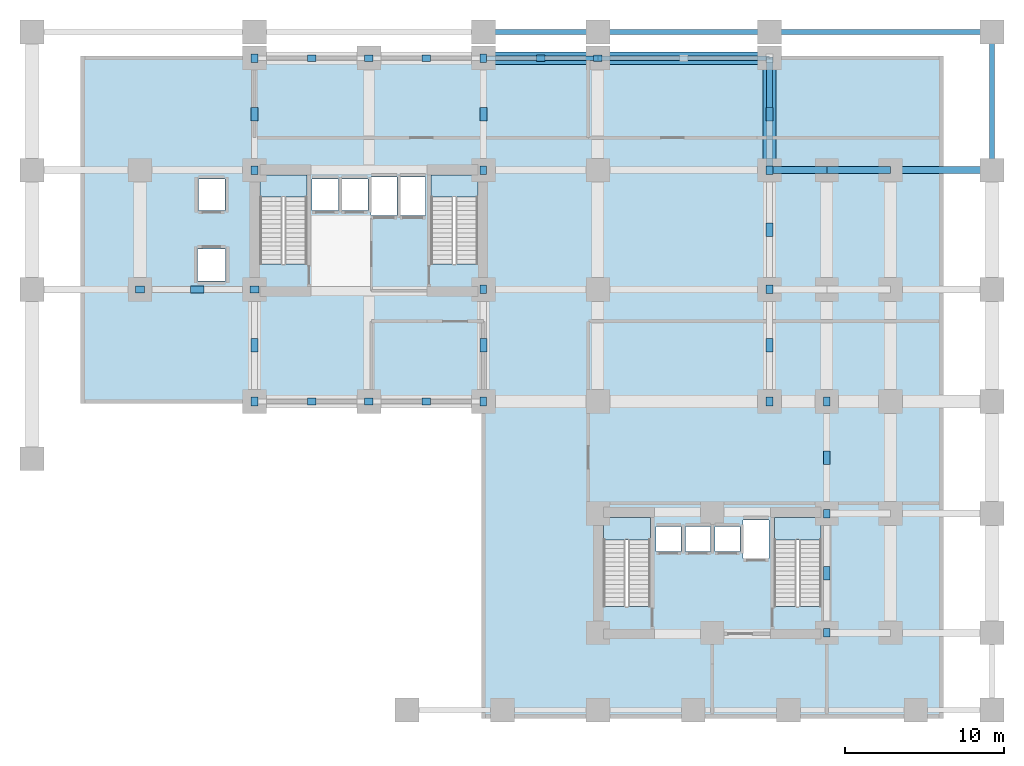
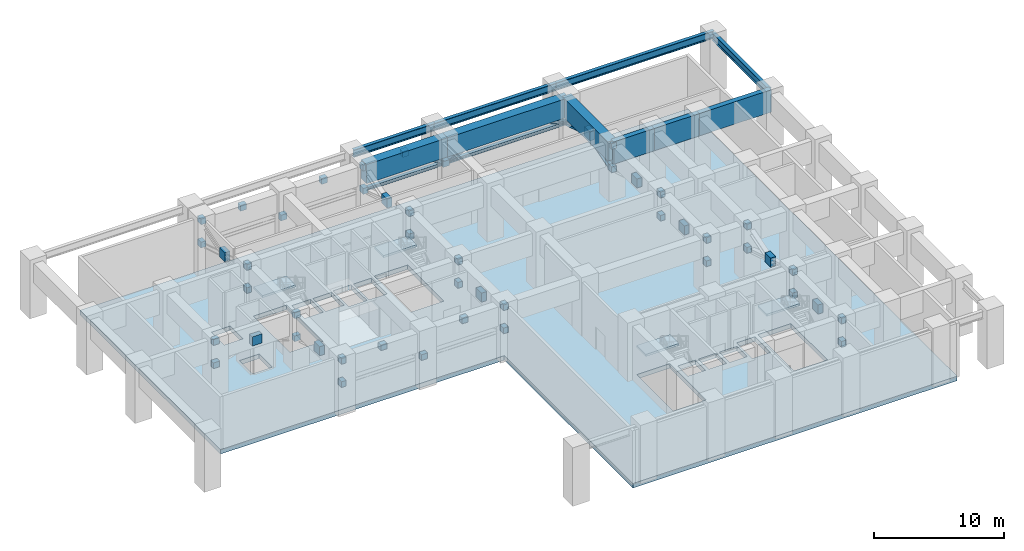
# One storey, part 3 of 9: 48 plates, 10 beams, 7 members, 5 slabs, 4 elements without a shape of their own.
"""IFC4 building model written with IfcOpenShell, lengths in metres."""

from ifc_helpers import new_model, si_unit, direction, frame, origin, origin_2d, place, context, subcontext, project, spatial, polyline, rectangle, i_section, outline, extrude, source, transform, mapped, material, layer, layer_set, material_profile, profile_set, type_object, element, aggregate, save


model = new_model("IFC4")

# Units and contexts
model_context = context("Model", 3, precision=1e-05, world=origin(), true_north=direction((0.0, 1.0)))
body_context = subcontext(model_context, "Body", "Model", "MODEL_VIEW")
ifc_project = project(units=[si_unit("LENGTHUNIT", "METRE"), si_unit("AREAUNIT", "SQUARE_METRE"), si_unit("VOLUMEUNIT", "CUBIC_METRE"), si_unit("PLANEANGLEUNIT", "RADIAN"), si_unit("MASSUNIT", "GRAM", prefix="KILO")], contexts=[model_context])

# Site, building, storey
site_placement = place(None, origin())
site = spatial("IfcSite", under=ifc_project, at=site_placement, CompositionType="ELEMENT")
building_placement = place(site_placement, origin())
building = spatial("IfcBuilding", under=site, at=building_placement, Name="Kaliganga Portal Commons", CompositionType="ELEMENT")
storey_placement = place(building_placement, frame((0.0, 0.0, 19.800048828125)))
storey = spatial("IfcBuildingStorey", under=building, at=storey_placement, Name="L04", CompositionType="ELEMENT", Elevation=19.800048828125)

# Beams
ifc_material_1 = material(Name="Structural steel S355J2", Category="steel")
ifc_material_profile_1 = material_profile(ifc_material_1, i_section(OverallWidth=0.300048828125, OverallDepth=0.699951171875, WebThickness=0.01708984375, FlangeThickness=0.031982421875, FilletRadius=0.027099609375, at=origin_2d()), Name="HE 700 B")
ifc_profile_set_1 = profile_set([ifc_material_profile_1], Name="Structural steel S355J2 wide-flange")
beam_type_1 = type_object("IfcBeamType", Name="BM-GIRD-700", PredefinedType="USERDEFINED", material=ifc_profile_set_1)
shared_shape_1 = source(origin(), body_context, "Body", "SweptSolid", [
    extrude(i_section(OverallWidth=0.300048828125, OverallDepth=0.699951171875, WebThickness=0.01708984375, FlangeThickness=0.031982421875, FilletRadius=0.027099609375, at=origin_2d()), origin(), (0.0, 0.0, 1.0), 7.199951171875),
])
beam_1_placement = place(storey_placement, frame((28.800048828125, 44.85009765625, 4.93994140625), z_axis=(1.0, 0.0, 0.0), x_axis=(0.0, 1.0, 0.0)))
element("IfcBeam", 1, at=beam_1_placement, inside=storey, type_object=beam_type_1, Name="Transfer Girder BM XFER L04 N44 3", ObjectType="GIRDER", PredefinedType="USERDEFINED", context=body_context, shape_type="MappedRepresentation", body=[
    mapped(shared_shape_1, transform((0.0, 0.0, 0.0), x_axis=(1.0, 0.0, 0.0), y_axis=(0.0, 1.0, 0.0), z_axis=(0.0, 0.0, 1.0), scale=1.0)),
])
shared_shape_2 = source(origin(), body_context, "Body", "SweptSolid", [
    extrude(i_section(OverallWidth=0.300048828125, OverallDepth=0.699951171875, WebThickness=0.01708984375, FlangeThickness=0.031982421875, FilletRadius=0.027099609375, at=origin_2d()), origin(), (0.0, 0.0, 1.0), 10.800048828125),
])
beam_2_placement = place(storey_placement, frame((36.0, 44.85009765625, 4.93994140625), z_axis=(1.0, 0.0, 0.0), x_axis=(0.0, 1.0, 0.0)))
element("IfcBeam", 2, at=beam_2_placement, inside=storey, type_object=beam_type_1, Name="Transfer Girder BM XFER L04 N44 4", ObjectType="GIRDER", PredefinedType="USERDEFINED", context=body_context, shape_type="MappedRepresentation", body=[
    mapped(shared_shape_2, transform((0.0, 0.0, 0.0), x_axis=(1.0, 0.0, 0.0), y_axis=(0.0, 1.0, 0.0), z_axis=(0.0, 0.0, 1.0), scale=1.0)),
])
shared_shape_3 = source(origin(), body_context, "Body", "SweptSolid", [
    extrude(i_section(OverallWidth=0.300048828125, OverallDepth=0.699951171875, WebThickness=0.01708984375, FlangeThickness=0.031982421875, FilletRadius=0.027099609375, at=origin_2d()), origin(), (0.0, 0.0, 1.0), 8.7001953125),
])
beam_3_placement = place(storey_placement, frame((60.800048828125, 36.14990234375, 4.72998046875), z_axis=(0.0, 1.0, 0.0), x_axis=(-1.0, 0.0, 0.0)))
element("IfcBeam", 3, at=beam_3_placement, inside=storey, type_object=beam_type_1, Name="Transfer Girder BM XFER L04 E60N", ObjectType="GIRDER", PredefinedType="USERDEFINED", context=body_context, shape_type="MappedRepresentation", body=[
    mapped(shared_shape_3, transform((0.0, 0.0, 0.0), x_axis=(1.0, 0.0, 0.0), y_axis=(0.0, 1.0, 0.0), z_axis=(0.0, 0.0, 1.0), scale=1.0)),
])
shared_shape_4 = source(origin(), body_context, "Body", "SweptSolid", [
    extrude(i_section(OverallWidth=0.300048828125, OverallDepth=0.699951171875, WebThickness=0.01708984375, FlangeThickness=0.031982421875, FilletRadius=0.027099609375, at=origin_2d()), origin(), (0.0, 0.0, 1.0), 14.0),
])
beam_4_placement = place(storey_placement, frame((46.800048828125, 44.85009765625, 4.93994140625), z_axis=(1.0, 0.0, 0.0), x_axis=(0.0, 1.0, 0.0)))
element("IfcBeam", 4, at=beam_4_placement, inside=storey, type_object=beam_type_1, Name="Transfer Girder BM XFER L04 N44 5", ObjectType="GIRDER", PredefinedType="USERDEFINED", context=body_context, shape_type="MappedRepresentation", body=[
    mapped(shared_shape_4, transform((0.0, 0.0, 0.0), x_axis=(1.0, 0.0, 0.0), y_axis=(0.0, 1.0, 0.0), z_axis=(0.0, 0.0, 1.0), scale=1.0)),
])
ifc_material_2 = material(Name="Concrete C70/85", Category="concrete")
ifc_material_profile_2 = material_profile(ifc_material_2, rectangle(XDim=0.800048828125, YDim=1.800048828125, at=origin_2d()), Name="RC 800x1800")
ifc_profile_set_2 = profile_set([ifc_material_profile_2], Name="Concrete C70/85")
beam_type_2 = type_object("IfcBeamType", Name="BM-XFER-1800", PredefinedType="T_BEAM", material=ifc_profile_set_2)
shared_shape_5 = source(origin(), body_context, "Body", "SweptSolid", [
    extrude(rectangle(XDim=0.800048828125, YDim=1.800048828125, at=origin_2d()), origin(), (0.0, 0.0, 1.0), 7.199951171875),
])
beam_5_placement = place(storey_placement, frame((28.800048828125, 43.199951171875, 4.179931640625), z_axis=(1.0, 0.0, 0.0), x_axis=(0.0, 1.0, 0.0)))
element("IfcBeam", 5, at=beam_5_placement, inside=storey, type_object=beam_type_2, Name="Transfer Girder BM XFER L04 AN 3", PredefinedType="T_BEAM", context=body_context, shape_type="MappedRepresentation", body=[
    mapped(shared_shape_5, transform((0.0, 0.0, 0.0), x_axis=(1.0, 0.0, 0.0), y_axis=(0.0, 1.0, 0.0), z_axis=(0.0, 0.0, 1.0), scale=1.0)),
])
shared_shape_6 = source(origin(), body_context, "Body", "SweptSolid", [
    extrude(rectangle(XDim=0.800048828125, YDim=1.800048828125, at=origin_2d()), origin(), (0.0, 0.0, 1.0), 10.800048828125),
])
beam_6_placement = place(storey_placement, frame((36.0, 43.199951171875, 4.179931640625), z_axis=(1.0, 0.0, 0.0), x_axis=(0.0, 1.0, 0.0)))
element("IfcBeam", 6, at=beam_6_placement, inside=storey, type_object=beam_type_2, Name="Transfer Girder BM XFER L04 AN 4", PredefinedType="T_BEAM", context=body_context, shape_type="MappedRepresentation", body=[
    mapped(shared_shape_6, transform((0.0, 0.0, 0.0), x_axis=(1.0, 0.0, 0.0), y_axis=(0.0, 1.0, 0.0), z_axis=(0.0, 0.0, 1.0), scale=1.0)),
])
ifc_material_profile_3 = material_profile(ifc_material_2, rectangle(XDim=0.43994140625, YDim=2.10009765625, at=origin_2d()), Name="RC 440x2100")
ifc_profile_set_3 = profile_set([ifc_material_profile_3], Name="Concrete C70/85")
beam_type_3 = type_object("IfcBeamType", Name="BM-XFER-SLIM", PredefinedType="T_BEAM", material=ifc_profile_set_3)
shared_shape_7 = source(origin(), body_context, "Body", "SweptSolid", [
    extrude(rectangle(XDim=0.43994140625, YDim=2.10009765625, at=origin_2d()), origin(), (0.0, 0.0, 1.0), 3.599853515625),
])
beam_7_placement = place(storey_placement, frame((46.800048828125, 36.14990234375, 4.030029296875), z_axis=(1.0, 0.0, 0.0), x_axis=(0.0, 1.0, 0.0)))
element("IfcBeam", 7, at=beam_7_placement, inside=storey, type_object=beam_type_3, Name="Transfer Girder BM XFER L04 WE2 3", PredefinedType="T_BEAM", context=body_context, shape_type="MappedRepresentation", body=[
    mapped(shared_shape_7, transform((0.0, 0.0, 0.0), x_axis=(1.0, 0.0, 0.0), y_axis=(0.0, 1.0, 0.0), z_axis=(0.0, 0.0, 1.0), scale=1.0)),
])
shared_shape_8 = source(origin(), body_context, "Body", "SweptSolid", [
    extrude(rectangle(XDim=0.43994140625, YDim=2.10009765625, at=origin_2d()), origin(), (0.0, 0.0, 1.0), 4.0),
])
beam_8_placement = place(storey_placement, frame((50.39990234375, 36.14990234375, 4.030029296875), z_axis=(1.0, 0.0, 0.0), x_axis=(0.0, 1.0, 0.0)))
element("IfcBeam", 8, at=beam_8_placement, inside=storey, type_object=beam_type_3, Name="Transfer Girder BM XFER L04 WE2 4", PredefinedType="T_BEAM", context=body_context, shape_type="MappedRepresentation", body=[
    mapped(shared_shape_8, transform((0.0, 0.0, 0.0), x_axis=(1.0, 0.0, 0.0), y_axis=(0.0, 1.0, 0.0), z_axis=(0.0, 0.0, 1.0), scale=1.0)),
])
shared_shape_9 = source(origin(), body_context, "Body", "SweptSolid", [
    extrude(rectangle(XDim=0.43994140625, YDim=2.10009765625, at=origin_2d()), origin(), (0.0, 0.0, 1.0), 6.400146484375),
])
beam_9_placement = place(storey_placement, frame((54.39990234375, 36.14990234375, 4.030029296875), z_axis=(1.0, 0.0, 0.0), x_axis=(0.0, 1.0, 0.0)))
element("IfcBeam", 9, at=beam_9_placement, inside=storey, type_object=beam_type_3, Name="Transfer Girder BM XFER L04 WE2 5", PredefinedType="T_BEAM", context=body_context, shape_type="MappedRepresentation", body=[
    mapped(shared_shape_9, transform((0.0, 0.0, 0.0), x_axis=(1.0, 0.0, 0.0), y_axis=(0.0, 1.0, 0.0), z_axis=(0.0, 0.0, 1.0), scale=1.0)),
])
shared_shape_10 = source(origin(), body_context, "Body", "SweptSolid", [
    extrude(rectangle(XDim=0.800048828125, YDim=1.800048828125, at=origin_2d()), origin(), (0.0, 0.0, 1.0), 7.050048828125),
])
beam_10_placement = place(storey_placement, frame((46.800048828125, 36.14990234375, 4.179931640625), z_axis=(0.0, 1.0, 0.0), x_axis=(-1.0, 0.0, 0.0)))
element("IfcBeam", 10, at=beam_10_placement, inside=storey, type_object=beam_type_2, Name="Transfer Girder BM XFER L04 NS468 3", PredefinedType="T_BEAM", context=body_context, shape_type="MappedRepresentation", body=[
    mapped(shared_shape_10, transform((0.0, 0.0, 0.0), x_axis=(1.0, 0.0, 0.0), y_axis=(0.0, 1.0, 0.0), z_axis=(0.0, 0.0, 1.0), scale=1.0)),
])

# Members
ifc_material_3 = material(Name="Structural steel S460M", Category="steel")
ifc_material_profile_4 = material_profile(ifc_material_3, i_section(OverallWidth=0.39794921875, OverallDepth=0.39404296875, WebThickness=0.01611328125, FlangeThickness=0.021484375, FilletRadius=0.014892578125, at=origin_2d()), Name="HD 400x262")
ifc_profile_set_4 = profile_set([ifc_material_profile_4], Name="Structural steel S460M wide-flange")
member_type_1 = type_object("IfcMemberType", Name="MBR-XFER-DIAG", PredefinedType="BRACE", material=ifc_profile_set_4)
shared_shape_11 = source(origin(), body_context, "Body", "SweptSolid", [
    extrude(i_section(OverallWidth=0.39794921875, OverallDepth=0.39404296875, WebThickness=0.01611328125, FlangeThickness=0.021484375, FilletRadius=0.014892578125, at=origin_2d()), origin(), (0.0, 0.0, 1.0), 3.689453125),
])
member_1_placement = place(storey_placement, frame((46.800048828125, 39.675048828125, 3.639892578125), z_axis=(0.0, 0.955377518887, -0.295387535968), x_axis=(-1.0, 0.0, 0.0)))
element("IfcMember", 11, at=member_1_placement, inside=storey, type_object=member_type_1, Name="Podium Transfer Truss Diagonal PTD-L04-08B2", PredefinedType="BRACE", context=body_context, shape_type="MappedRepresentation", body=[
    mapped(shared_shape_11, transform((0.0, 0.0, 0.0), x_axis=(1.0, 0.0, 0.0), y_axis=(0.0, 1.0, 0.0), z_axis=(0.0, 0.0, 1.0), scale=1.0)),
])
ifc_material_profile_5 = material_profile(ifc_material_3, i_section(OverallWidth=0.412109375, OverallDepth=0.43798828125, WebThickness=0.02685546875, FlangeThickness=0.03662109375, FilletRadius=0.014892578125, at=origin_2d()), Name="HD 400x463")
ifc_profile_set_5 = profile_set([ifc_material_profile_5], Name="Structural steel S460M wide-flange")
member_type_2 = type_object("IfcMemberType", Name="MBR-OUTRIG-509", PredefinedType="USERDEFINED", material=ifc_profile_set_5)
shared_shape_12 = source(origin(), body_context, "Body", "SweptSolid", [
    extrude(i_section(OverallWidth=0.412109375, OverallDepth=0.43798828125, WebThickness=0.02685546875, FlangeThickness=0.03662109375, FilletRadius=0.014892578125, at=origin_2d()), origin(), (0.0, 0.0, 1.0), 7.37939453125),
])
member_2_placement = place(storey_placement, frame((46.800048828125, 36.14990234375, 2.550048828125), z_axis=(0.0, 0.955371068811, 0.295408396766), x_axis=(-1.0, 0.0, 0.0)))
element("IfcMember", 12, at=member_2_placement, inside=storey, type_object=member_type_2, Name="Outrigger Strut OT-L04-08A", ObjectType="OUTRIGGER", PredefinedType="USERDEFINED", context=body_context, shape_type="MappedRepresentation", body=[
    mapped(shared_shape_12, transform((0.0, 0.0, 0.0), x_axis=(1.0, 0.0, 0.0), y_axis=(0.0, 1.0, 0.0), z_axis=(0.0, 0.0, 1.0), scale=1.0)),
])
ifc_material_profile_6 = material_profile(ifc_material_3, i_section(OverallWidth=0.300048828125, OverallDepth=0.300048828125, WebThickness=0.010986328125, FlangeThickness=0.01904296875, FilletRadius=0.027099609375, at=origin_2d()), Name="HE 300 B")
ifc_profile_set_6 = profile_set([ifc_material_profile_6], Name="Structural steel S460M wide-flange")
member_type_3 = type_object("IfcMemberType", Name="MBR-BELT-300", PredefinedType="BRACE", material=ifc_profile_set_6)
shared_shape_13 = source(origin(), body_context, "Body", "SweptSolid", [
    extrude(i_section(OverallWidth=0.300048828125, OverallDepth=0.300048828125, WebThickness=0.010986328125, FlangeThickness=0.01904296875, FilletRadius=0.027099609375, at=origin_2d()), origin(), (0.0, 0.0, 1.0), 4.208740234375),
])
member_3_placement = place(storey_placement, frame((36.0, 43.199951171875, 2.550048828125), z_axis=(-0.855402686165, 0.0, 0.517963555186), x_axis=(0.0, -1.0, 0.0)))
element("IfcMember", 13, at=member_3_placement, inside=storey, type_object=member_type_3, Name="Belt Truss Diagonal BT-L04-03R", PredefinedType="BRACE", context=body_context, shape_type="MappedRepresentation", body=[
    mapped(shared_shape_13, transform((0.0, 0.0, 0.0), x_axis=(1.0, 0.0, 0.0), y_axis=(0.0, 1.0, 0.0), z_axis=(0.0, 0.0, 1.0), scale=1.0)),
])
ifc_material_profile_7 = material_profile(ifc_material_3, i_section(OverallWidth=0.300048828125, OverallDepth=0.2900390625, WebThickness=0.008544921875, FlangeThickness=0.013916015625, FilletRadius=0.027099609375, at=origin_2d()), Name="HE 300 A")
ifc_profile_set_7 = profile_set([ifc_material_profile_7], Name="Structural steel S460M wide-flange")
member_type_4 = type_object("IfcMemberType", Name="MBR-CHORD-300A", PredefinedType="CHORD", material=ifc_profile_set_7)
shared_shape_14 = source(origin(), body_context, "Body", "SweptSolid", [
    extrude(i_section(OverallWidth=0.300048828125, OverallDepth=0.2900390625, WebThickness=0.008544921875, FlangeThickness=0.013916015625, FilletRadius=0.027099609375, at=origin_2d()), origin(), (0.0, 0.0, 1.0), 7.199951171875),
])
member_4_placement = place(storey_placement, frame((28.800048828125, 43.199951171875, 2.550048828125), z_axis=(1.0, 0.0, 0.0), x_axis=(0.0, 1.0, 0.0)))
element("IfcMember", 14, at=member_4_placement, inside=storey, type_object=member_type_4, Name="Belt Truss Bottom Chord CHD-L04-03", PredefinedType="CHORD", context=body_context, shape_type="MappedRepresentation", body=[
    mapped(shared_shape_14, transform((0.0, 0.0, 0.0), x_axis=(1.0, 0.0, 0.0), y_axis=(0.0, 1.0, 0.0), z_axis=(0.0, 0.0, 1.0), scale=1.0)),
])
shared_shape_15 = source(origin(), body_context, "Body", "SweptSolid", [
    extrude(i_section(OverallWidth=0.300048828125, OverallDepth=0.2900390625, WebThickness=0.008544921875, FlangeThickness=0.013916015625, FilletRadius=0.027099609375, at=origin_2d()), origin(), (0.0, 0.0, 1.0), 10.800048828125),
])
member_5_placement = place(storey_placement, frame((36.0, 43.199951171875, 2.550048828125), z_axis=(1.0, 0.0, 0.0), x_axis=(0.0, 1.0, 0.0)))
element("IfcMember", 15, at=member_5_placement, inside=storey, type_object=member_type_4, Name="Belt Truss Bottom Chord CHD-L04-04", PredefinedType="CHORD", context=body_context, shape_type="MappedRepresentation", body=[
    mapped(shared_shape_15, transform((0.0, 0.0, 0.0), x_axis=(1.0, 0.0, 0.0), y_axis=(0.0, 1.0, 0.0), z_axis=(0.0, 0.0, 1.0), scale=1.0)),
])
shared_shape_16 = source(origin(), body_context, "Body", "SweptSolid", [
    extrude(i_section(OverallWidth=0.300048828125, OverallDepth=0.300048828125, WebThickness=0.010986328125, FlangeThickness=0.01904296875, FilletRadius=0.027099609375, at=origin_2d()), origin(), (0.0, 0.0, 1.0), 5.8232421875),
])
member_6_placement = place(storey_placement, frame((36.0, 43.199951171875, 2.550048828125), z_axis=(0.927289419764, 0.0, 0.374345204316), x_axis=(0.0, 1.0, 0.0)))
element("IfcMember", 16, at=member_6_placement, inside=storey, type_object=member_type_3, Name="Belt Truss Diagonal BT-L04-04L", PredefinedType="BRACE", context=body_context, shape_type="MappedRepresentation", body=[
    mapped(shared_shape_16, transform((0.0, 0.0, 0.0), x_axis=(1.0, 0.0, 0.0), y_axis=(0.0, 1.0, 0.0), z_axis=(0.0, 0.0, 1.0), scale=1.0)),
])
shared_shape_17 = source(origin(), body_context, "Body", "SweptSolid", [
    extrude(i_section(OverallWidth=0.300048828125, OverallDepth=0.300048828125, WebThickness=0.010986328125, FlangeThickness=0.01904296875, FilletRadius=0.027099609375, at=origin_2d()), origin(), (0.0, 0.0, 1.0), 5.823486328125),
])
member_7_placement = place(storey_placement, frame((46.800048828125, 43.199951171875, 2.550048828125), z_axis=(-0.927295294504, 0.0, 0.374330651685), x_axis=(0.0, -1.0, 0.0)))
element("IfcMember", 17, at=member_7_placement, inside=storey, type_object=member_type_3, Name="Belt Truss Diagonal BT-L04-04R", PredefinedType="BRACE", context=body_context, shape_type="MappedRepresentation", body=[
    mapped(shared_shape_17, transform((0.0, 0.0, 0.0), x_axis=(1.0, 0.0, 0.0), y_axis=(0.0, 1.0, 0.0), z_axis=(0.0, 0.0, 1.0), scale=1.0)),
])

# Stair, slab
ifc_material_4 = material(Name="Concrete C40/50", Category="concrete")
stair_type = type_object("IfcStairType", Name="ST-CORE-DOGLEG", PredefinedType="HALF_TURN_STAIR", material=ifc_material_4)
stair_1_placement = place(storey_placement, origin())
stair_1 = element("IfcStair", 18, at=stair_1_placement, inside=storey, type_object=stair_type, Name="L04 Protected Exit Stair ST-A1", PredefinedType="HALF_TURN_STAIR")
ifc_layer_1 = layer(ifc_material_4, 0.199951171875)
ifc_layer_set_1 = layer_set([ifc_layer_1], Name="Concrete C40/50")
slab_type_1 = type_object("IfcSlabType", Name="SLB-STAIR-LND", PredefinedType="LANDING", material=ifc_layer_set_1)
slab_1_placement = place(storey_placement, frame((0.0, 0.0, 2.550048828125)))
slab_1 = element("IfcSlab", 19, at=slab_1_placement, type_object=slab_type_1, Name="ST-A1 landing 1", PredefinedType="LANDING", context=body_context, shape_type="SweptSolid", body=[
    extrude(outline(polyline([(17.699951171875, 34.449951171875), (17.699951171875, 35.85009765625), (14.75, 35.85009765625), (14.75, 34.449951171875), (17.699951171875, 34.449951171875)])), origin(), (0.0, 0.0, 1.0), 0.199951171875),
])
aggregate(stair_1, [slab_1])

stair_2_placement = place(storey_placement, origin())
stair_2 = element("IfcStair", 20, at=stair_2_placement, inside=storey, type_object=stair_type, Name="L04 Protected Exit Stair ST-A2", PredefinedType="HALF_TURN_STAIR")
slab_2_placement = place(storey_placement, frame((0.0, 0.0, 2.550048828125)))
slab_2 = element("IfcSlab", 21, at=slab_2_placement, type_object=slab_type_1, Name="ST-A2 landing 1", PredefinedType="LANDING", context=body_context, shape_type="SweptSolid", body=[
    extrude(outline(polyline([(28.449951171875, 34.449951171875), (28.449951171875, 35.85009765625), (25.5, 35.85009765625), (25.5, 34.449951171875), (28.449951171875, 34.449951171875)])), origin(), (0.0, 0.0, 1.0), 0.199951171875),
])
aggregate(stair_2, [slab_2])

stair_3_placement = place(storey_placement, origin())
stair_3 = element("IfcStair", 22, at=stair_3_placement, inside=storey, type_object=stair_type, Name="L04 Protected Exit Stair ST-B1", PredefinedType="HALF_TURN_STAIR")
slab_3_placement = place(storey_placement, frame((0.0, 0.0, 2.550048828125)))
slab_3 = element("IfcSlab", 23, at=slab_3_placement, type_object=slab_type_1, Name="ST-B1 landing 1", PredefinedType="LANDING", context=body_context, shape_type="SweptSolid", body=[
    extrude(outline(polyline([(39.300048828125, 12.89990234375), (39.300048828125, 14.300048828125), (36.35009765625, 14.300048828125), (36.35009765625, 12.89990234375), (39.300048828125, 12.89990234375)])), origin(), (0.0, 0.0, 1.0), 0.199951171875),
])
aggregate(stair_3, [slab_3])

stair_4_placement = place(storey_placement, origin())
stair_4 = element("IfcStair", 24, at=stair_4_placement, inside=storey, type_object=stair_type, Name="L04 Protected Exit Stair ST-B2", PredefinedType="HALF_TURN_STAIR")
slab_4_placement = place(storey_placement, frame((0.0, 0.0, 2.550048828125)))
slab_4 = element("IfcSlab", 25, at=slab_4_placement, type_object=slab_type_1, Name="ST-B2 landing 1", PredefinedType="LANDING", context=body_context, shape_type="SweptSolid", body=[
    extrude(outline(polyline([(50.050048828125, 12.89990234375), (50.050048828125, 14.300048828125), (47.10009765625, 14.300048828125), (47.10009765625, 12.89990234375), (50.050048828125, 12.89990234375)])), origin(), (0.0, 0.0, 1.0), 0.199951171875),
])
aggregate(stair_4, [slab_4])

# Slab
ifc_material_5 = material(Name="Concrete C60/75", Category="concrete")
ifc_layer_2 = layer(ifc_material_5, 0.419921875)
ifc_layer_set_2 = layer_set([ifc_layer_2], Name="Concrete C60/75")
slab_type_2 = type_object("IfcSlabType", Name="SLB-XFER-420", PredefinedType="FLOOR", material=ifc_layer_set_2)
slab_5_placement = place(storey_placement, frame((0.0, 0.0, -0.420166015625)))
element("IfcSlab", 26, at=slab_5_placement, inside=storey, type_object=slab_type_2, Name="Structural Floor Slab L04", PredefinedType="FLOOR", context=body_context, shape_type="SweptSolid", body=[
    extrude(outline(polyline([(28.800048828125, 1.800048828125), (57.60009765625, 1.800048828125), (57.60009765625, 43.199951171875), (3.60009765625, 43.199951171875), (3.60009765625, 21.60009765625), (28.800048828125, 21.60009765625), (28.800048828125, 1.800048828125)]), holes=[polyline([(14.75, 30.25390625), (14.75, 35.85009765625), (17.699951171875, 35.85009765625), (17.699951171875, 30.25390625), (14.75, 30.25390625)]), polyline([(25.5, 30.25390625), (25.5, 35.85009765625), (28.449951171875, 35.85009765625), (28.449951171875, 30.25390625), (25.5, 30.25390625)]), polyline([(36.35009765625, 8.7041015625), (36.35009765625, 14.300048828125), (39.300048828125, 14.300048828125), (39.300048828125, 8.7041015625), (36.35009765625, 8.7041015625)]), polyline([(47.10009765625, 8.7041015625), (47.10009765625, 14.300048828125), (50.050048828125, 14.300048828125), (50.050048828125, 8.7041015625), (47.10009765625, 8.7041015625)]), polyline([(18.014892578125, 33.614990234375), (18.014892578125, 35.5849609375), (19.68505859375, 35.5849609375), (19.68505859375, 33.614990234375), (18.014892578125, 33.614990234375)]), polyline([(19.864990234375, 33.614990234375), (19.864990234375, 35.5849609375), (21.534912109375, 35.5849609375), (21.534912109375, 33.614990234375), (19.864990234375, 33.614990234375)]), polyline([(10.81494140625, 29.18994140625), (10.81494140625, 31.2099609375), (12.5849609375, 31.2099609375), (12.5849609375, 29.18994140625), (10.81494140625, 29.18994140625)]), polyline([(10.864990234375, 33.614990234375), (10.864990234375, 35.5849609375), (12.534912109375, 35.5849609375), (12.534912109375, 33.614990234375), (10.864990234375, 33.614990234375)]), polyline([(21.739990234375, 33.2900390625), (21.739990234375, 35.7099609375), (23.360107421875, 35.7099609375), (23.360107421875, 33.2900390625), (21.739990234375, 33.2900390625)]), polyline([(23.5400390625, 33.2900390625), (23.5400390625, 35.7099609375), (25.159912109375, 35.7099609375), (25.159912109375, 33.2900390625), (23.5400390625, 33.2900390625)]), polyline([(39.6650390625, 12.1650390625), (39.6650390625, 13.735107421875), (41.235107421875, 13.735107421875), (41.235107421875, 12.1650390625), (39.6650390625, 12.1650390625)]), polyline([(41.514892578125, 12.1650390625), (41.514892578125, 13.735107421875), (43.0849609375, 13.735107421875), (43.0849609375, 12.1650390625), (41.514892578125, 12.1650390625)]), polyline([(43.364990234375, 12.1650390625), (43.364990234375, 13.735107421875), (44.93505859375, 13.735107421875), (44.93505859375, 12.1650390625), (43.364990234375, 12.1650390625)]), polyline([(45.139892578125, 11.739990234375), (45.139892578125, 14.159912109375), (46.760009765625, 14.159912109375), (46.760009765625, 11.739990234375), (45.139892578125, 11.739990234375)])]), origin(), (0.0, 0.0, 1.0), 0.420166015625),
])

# Plates
ifc_layer_3 = layer(ifc_material_3, 0.0400390625)
ifc_layer_set_3 = layer_set([ifc_layer_3], Name="Structural steel S460M")
plate_type = type_object("IfcPlateType", Name="PLT-GUSSET-40", PredefinedType="USERDEFINED", material=ifc_layer_set_3)
shared_shape_18 = source(origin(), body_context, "Body", "SweptSolid", [
    extrude(rectangle(XDim=0.85009765625, YDim=0.43994140625, at=origin_2d()), origin(), (0.0, 0.0, 1.0), 0.85009765625),
])
for number, where, z_axis, x_axis, name in (
    (27, (10.800048828125, 28.64990234375, 3.21484375), (0.0, 0.0, 1.0), (-1.0, 0.0, 0.0), "Outrigger Crossing Gusset Plate GP-L04-01"),
    (28, (14.39990234375, 25.125, 3.21484375), (0.0, 0.0, 1.0), (0.0, -1.0, 0.0), "Outrigger Crossing Gusset Plate GP-L04-02"),
    (29, (28.800048828125, 25.125, 3.21484375), (0.0, 0.0, 1.0), (0.0, -1.0, 0.0), "Outrigger Crossing Gusset Plate GP-L04-03"),
    (30, (14.39990234375, 39.675048828125, 3.21484375), (0.0, 0.0, 1.0), (0.0, 1.0, 0.0), "Outrigger Crossing Gusset Plate GP-L04-04"),
    (31, (28.800048828125, 39.675048828125, 3.21484375), (0.0, 0.0, 1.0), (0.0, 1.0, 0.0), "Outrigger Crossing Gusset Plate GP-L04-05"),
    (32, (46.800048828125, 25.125, 3.21484375), (0.0, 0.0, 1.0), (0.0, 1.0, 0.0), "Outrigger Crossing Gusset Plate GP-L04-06"),
    (33, (46.800048828125, 32.39990234375, 3.21484375), (0.0, 0.0, 1.0), (0.0, 1.0, 0.0), "Outrigger Crossing Gusset Plate GP-L04-07"),
    (34, (46.800048828125, 39.675048828125, 3.21484375), (0.0, 0.0, 1.0), (0.0, 1.0, 0.0), "Outrigger Crossing Gusset Plate GP-L04-08"),
    (35, (50.39990234375, 10.800048828125, 3.21484375), (0.0, 0.0, 1.0), (0.0, 1.0, 0.0), "Outrigger Crossing Gusset Plate GP-L04-09"),
    (36, (50.39990234375, 18.074951171875, 3.21484375), (0.0, 0.0, 1.0), (0.0, 1.0, 0.0), "Outrigger Crossing Gusset Plate GP-L04-10"),
):
    element("IfcPlate", number, at=place(storey_placement, frame(where, z_axis=z_axis, x_axis=x_axis)), inside=storey, type_object=plate_type, Name=name, ObjectType="GUSSET PLATE", PredefinedType="USERDEFINED", context=body_context, shape_type="MappedRepresentation", body=[
        mapped(shared_shape_18, transform((0.0, 0.0, 0.0), x_axis=(1.0, 0.0, 0.0), y_axis=(0.0, 1.0, 0.0), z_axis=(0.0, 0.0, 1.0), scale=1.0)),
    ])
shared_shape_19 = source(origin(), body_context, "Body", "SweptSolid", [
    extrude(rectangle(XDim=0.5400390625, YDim=0.419921875, at=origin_2d()), origin(), (0.0, 0.0, 1.0), 0.5400390625),
])
for number, where, z_axis, x_axis, name in (
    (37, (14.39990234375, 28.64990234375, 2.280029296875), (0.0, 0.0, 1.0), (-1.0, 0.0, 0.0), "Brace End Gusset Plate PLT-ENDG-L04-O01A0"),
    (38, (7.199951171875, 28.64990234375, 4.4599609375), (0.0, 0.0, 1.0), (-1.0, 0.0, 0.0), "Brace End Gusset Plate PLT-ENDG-L04-O01A1"),
    (39, (14.39990234375, 28.64990234375, 4.4599609375), (0.0, 0.0, 1.0), (-1.0, 0.0, 0.0), "Brace End Gusset Plate PLT-ENDG-L04-O01B0"),
    (40, (7.199951171875, 28.64990234375, 2.280029296875), (0.0, 0.0, 1.0), (-1.0, 0.0, 0.0), "Brace End Gusset Plate PLT-ENDG-L04-O01B1"),
    (41, (14.39990234375, 21.60009765625, 4.4599609375), (0.0, 0.0, 1.0), (0.0, -1.0, 0.0), "Brace End Gusset Plate PLT-ENDG-L04-O02A1"),
    (42, (14.39990234375, 21.60009765625, 2.280029296875), (0.0, 0.0, 1.0), (0.0, -1.0, 0.0), "Brace End Gusset Plate PLT-ENDG-L04-O02B1"),
    (43, (28.800048828125, 28.64990234375, 2.280029296875), (0.0, 0.0, 1.0), (0.0, -1.0, 0.0), "Brace End Gusset Plate PLT-ENDG-L04-O03A0"),
    (44, (28.800048828125, 21.60009765625, 4.4599609375), (0.0, 0.0, 1.0), (0.0, -1.0, 0.0), "Brace End Gusset Plate PLT-ENDG-L04-O03A1"),
    (45, (28.800048828125, 28.64990234375, 4.4599609375), (0.0, 0.0, 1.0), (0.0, -1.0, 0.0), "Brace End Gusset Plate PLT-ENDG-L04-O03B0"),
    (46, (28.800048828125, 21.60009765625, 2.280029296875), (0.0, 0.0, 1.0), (0.0, -1.0, 0.0), "Brace End Gusset Plate PLT-ENDG-L04-O03B1"),
    (47, (14.39990234375, 36.14990234375, 2.280029296875), (0.0, 0.0, 1.0), (0.0, 1.0, 0.0), "Brace End Gusset Plate PLT-ENDG-L04-O04A0"),
    (48, (14.39990234375, 43.199951171875, 4.4599609375), (0.0, 0.0, 1.0), (0.0, 1.0, 0.0), "Brace End Gusset Plate PLT-ENDG-L04-O04A1"),
    (49, (14.39990234375, 36.14990234375, 4.4599609375), (0.0, 0.0, 1.0), (0.0, 1.0, 0.0), "Brace End Gusset Plate PLT-ENDG-L04-O04B0"),
    (50, (14.39990234375, 43.199951171875, 2.280029296875), (0.0, 0.0, 1.0), (0.0, 1.0, 0.0), "Brace End Gusset Plate PLT-ENDG-L04-O04B1"),
    (51, (28.800048828125, 36.14990234375, 2.280029296875), (0.0, 0.0, 1.0), (0.0, 1.0, 0.0), "Brace End Gusset Plate PLT-ENDG-L04-O05A0"),
    (52, (28.800048828125, 43.199951171875, 4.4599609375), (0.0, 0.0, 1.0), (0.0, 1.0, 0.0), "Brace End Gusset Plate PLT-ENDG-L04-O05A1"),
    (53, (28.800048828125, 36.14990234375, 4.4599609375), (0.0, 0.0, 1.0), (0.0, 1.0, 0.0), "Brace End Gusset Plate PLT-ENDG-L04-O05B0"),
    (54, (28.800048828125, 43.199951171875, 2.280029296875), (0.0, 0.0, 1.0), (0.0, 1.0, 0.0), "Brace End Gusset Plate PLT-ENDG-L04-O05B1"),
    (55, (46.800048828125, 21.60009765625, 2.280029296875), (0.0, 0.0, 1.0), (0.0, 1.0, 0.0), "Brace End Gusset Plate PLT-ENDG-L04-O06A0"),
    (56, (46.800048828125, 28.64990234375, 4.4599609375), (0.0, 0.0, 1.0), (0.0, 1.0, 0.0), "Brace End Gusset Plate PLT-ENDG-L04-O06A1"),
    (57, (46.800048828125, 21.60009765625, 4.4599609375), (0.0, 0.0, 1.0), (0.0, 1.0, 0.0), "Brace End Gusset Plate PLT-ENDG-L04-O06B0"),
    (58, (46.800048828125, 28.64990234375, 2.280029296875), (0.0, 0.0, 1.0), (0.0, 1.0, 0.0), "Brace End Gusset Plate PLT-ENDG-L04-O06B1"),
    (59, (46.800048828125, 36.14990234375, 4.4599609375), (0.0, 0.0, 1.0), (0.0, 1.0, 0.0), "Brace End Gusset Plate PLT-ENDG-L04-O07A1"),
    (60, (46.800048828125, 36.14990234375, 2.280029296875), (0.0, 0.0, 1.0), (0.0, 1.0, 0.0), "Brace End Gusset Plate PLT-ENDG-L04-O07B1"),
    (61, (50.39990234375, 7.050048828125, 2.280029296875), (0.0, 0.0, 1.0), (0.0, 1.0, 0.0), "Brace End Gusset Plate PLT-ENDG-L04-O09A0"),
    (62, (50.39990234375, 14.550048828125, 4.4599609375), (0.0, 0.0, 1.0), (0.0, 1.0, 0.0), "Brace End Gusset Plate PLT-ENDG-L04-O09A1"),
    (63, (50.39990234375, 7.050048828125, 4.4599609375), (0.0, 0.0, 1.0), (0.0, 1.0, 0.0), "Brace End Gusset Plate PLT-ENDG-L04-O09B0"),
    (64, (50.39990234375, 14.550048828125, 2.280029296875), (0.0, 0.0, 1.0), (0.0, 1.0, 0.0), "Brace End Gusset Plate PLT-ENDG-L04-O09B1"),
    (65, (50.39990234375, 21.60009765625, 4.4599609375), (0.0, 0.0, 1.0), (0.0, 1.0, 0.0), "Brace End Gusset Plate PLT-ENDG-L04-O10A1"),
    (66, (50.39990234375, 21.60009765625, 2.280029296875), (0.0, 0.0, 1.0), (0.0, 1.0, 0.0), "Brace End Gusset Plate PLT-ENDG-L04-O10B1"),
    (67, (21.60009765625, 43.199951171875, 2.280029296875), (0.0, 0.0, 1.0), (1.0, 0.0, 0.0), "Brace End Gusset Plate PLT-ENDG-L04-B01R"),
    (68, (18.0, 43.199951171875, 4.4599609375), (0.0, 0.0, 1.0), (1.0, 0.0, 0.0), "Brace End Gusset Plate PLT-ENDG-L04-B01M"),
    (69, (25.199951171875, 43.199951171875, 4.4599609375), (0.0, 0.0, 1.0), (1.0, 0.0, 0.0), "Brace End Gusset Plate PLT-ENDG-L04-B02M"),
    (70, (36.0, 43.199951171875, 2.280029296875), (0.0, 0.0, 1.0), (1.0, 0.0, 0.0), "Brace End Gusset Plate PLT-ENDG-L04-B03R"),
    (71, (32.39990234375, 43.199951171875, 4.4599609375), (0.0, 0.0, 1.0), (1.0, 0.0, 0.0), "Brace End Gusset Plate PLT-ENDG-L04-B03M"),
    (72, (21.60009765625, 21.60009765625, 2.280029296875), (0.0, 0.0, 1.0), (1.0, 0.0, 0.0), "Brace End Gusset Plate PLT-ENDG-L04-B05R"),
    (73, (18.0, 21.60009765625, 4.4599609375), (0.0, 0.0, 1.0), (1.0, 0.0, 0.0), "Brace End Gusset Plate PLT-ENDG-L04-B05M"),
    (74, (25.199951171875, 21.60009765625, 4.4599609375), (0.0, 0.0, 1.0), (1.0, 0.0, 0.0), "Brace End Gusset Plate PLT-ENDG-L04-B06M"),
):
    element("IfcPlate", number, at=place(storey_placement, frame(where, z_axis=z_axis, x_axis=x_axis)), inside=storey, type_object=plate_type, Name=name, ObjectType="GUSSET PLATE", PredefinedType="USERDEFINED", context=body_context, shape_type="MappedRepresentation", body=[
        mapped(shared_shape_19, transform((0.0, 0.0, 0.0), x_axis=(1.0, 0.0, 0.0), y_axis=(0.0, 1.0, 0.0), z_axis=(0.0, 0.0, 1.0), scale=1.0)),
    ])

save(model, "model.ifc")
